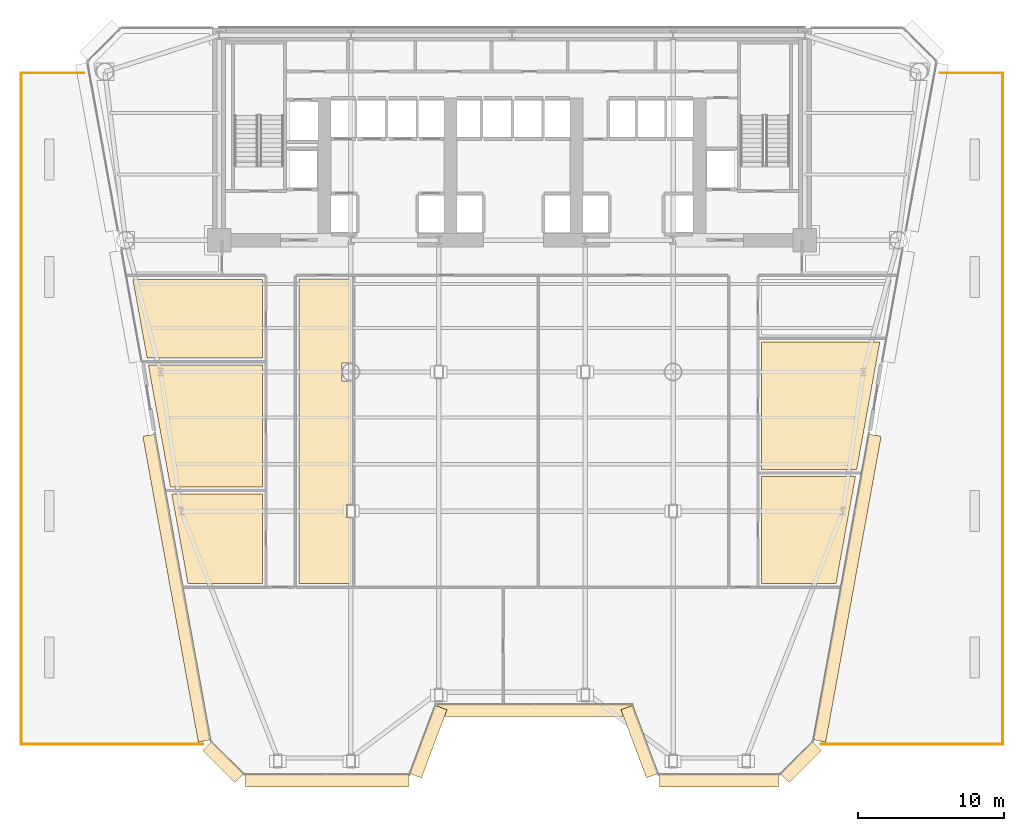
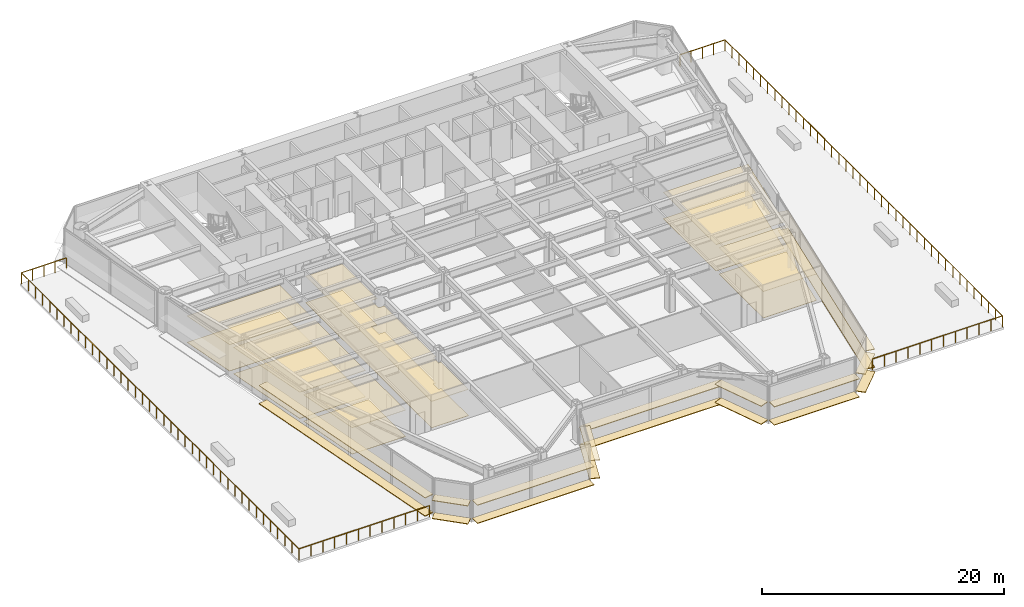
# One storey, part 11 of 14: 30 coverings, 2 railings.
"""IFC4 building model written with IfcOpenShell, lengths in metres."""

import ifcopenshell
import ifcopenshell.guid

model = None  # the IFC model being written
_history = None  # IfcOwnerHistory: only IFC2X3 demands one
_inside = {}  # id of a spatial element -> (the spatial element, [elements in it])
_under = {}  # id of a project, library or spatial element -> (it, [spatial elements below it])
_declared = {}  # id of a project -> (the project, [libraries it declares])
_typed = {}  # id of a type object -> (the type object, [elements of that type])
_made_of = {}  # id of a material, layer set ... -> (it, [elements and type objects made of it])


def new_model(schema):
    """Start an empty IFC model of exactly this schema.

    Asked for "IFC4X3", IfcOpenShell would pick the latest addendum, in which some entities
    have other attributes; the version numbers below select the first issue.
    IFC2X3 requires an IfcOwnerHistory on every rooted entity: one is made here for all.
    """
    global model, _history
    if schema == "IFC4X3":
        model = ifcopenshell.file(schema_version=(4, 3, 0, 0))
    else:
        model = ifcopenshell.file(schema=schema)
    _inside.clear()
    _under.clear()
    _declared.clear()
    _typed.clear()
    _made_of.clear()
    _history = None
    if model.schema == "IFC2X3":
        org = make("IfcOrganization", Name="unknown")
        user = make(
            "IfcPersonAndOrganization",
            ThePerson=make("IfcPerson", FamilyName="unknown"),
            TheOrganization=org,
        )
        app = make(
            "IfcApplication",
            ApplicationDeveloper=org,
            Version="unknown",
            ApplicationFullName="unknown",
            ApplicationIdentifier="unknown",
        )
        _history = make(
            "IfcOwnerHistory",
            OwningUser=user,
            OwningApplication=app,
            ChangeAction="ADDED",
            CreationDate=0,
        )
    return model


def make(cls, **values):
    """One entity of the class cls with the attributes given. An attribute that is None is left unset."""
    return model.create_entity(
        cls, **{name: value for name, value in values.items() if value is not None}
    )


def rooted(cls, **values):
    """An entity with a GlobalId (a new one), such as an element, a storey or a relation."""
    return make(cls, GlobalId=ifcopenshell.guid.new(), OwnerHistory=_history, **values)


def si_unit(unit_type, name, prefix=None):
    """IfcSIUnit, for example si_unit("LENGTHUNIT", "METRE", prefix="MILLI")."""
    return make("IfcSIUnit", UnitType=unit_type, Prefix=prefix, Name=name)


def assignment(units):
    """IfcUnitAssignment: the units of a project."""
    return None if units is None else make("IfcUnitAssignment", Units=units)


def point(xyz):
    """IfcCartesianPoint."""
    return None if xyz is None else make("IfcCartesianPoint", Coordinates=xyz)


def direction(xyz):
    """IfcDirection."""
    return None if xyz is None else make("IfcDirection", DirectionRatios=xyz)


def frame(location, z_axis=None, x_axis=None):
    """IfcAxis2Placement3D, a coordinate frame: its origin and axes. An axis left out is left unset."""
    return make(
        "IfcAxis2Placement3D",
        Location=point(location),
        Axis=direction(z_axis),
        RefDirection=direction(x_axis),
    )


def frame_2d(location, x_axis=None):
    """IfcAxis2Placement2D, a coordinate frame in the plane: its origin and x axis."""
    return make(
        "IfcAxis2Placement2D", Location=point(location), RefDirection=direction(x_axis)
    )


def origin():
    """The frame at (0, 0, 0) with its axes left unset."""
    return frame((0.0, 0.0, 0.0))


def origin_2d():
    """The frame at (0, 0) in the plane with its x axis left unset."""
    return frame_2d((0.0, 0.0))


def place(relative_to, where):
    """IfcLocalPlacement: puts the frame where relative to a parent placement (None: the world)."""
    return make(
        "IfcLocalPlacement", PlacementRelTo=relative_to, RelativePlacement=where
    )


def context(
    kind, dimensions, precision=None, world=None, true_north=None, identifier=None
):
    """IfcGeometricRepresentationContext, for example the 3D "Model" context."""
    return make(
        "IfcGeometricRepresentationContext",
        ContextIdentifier=identifier,
        ContextType=kind,
        CoordinateSpaceDimension=dimensions,
        Precision=precision,
        WorldCoordinateSystem=world,
        TrueNorth=true_north,
    )


def subcontext(parent, identifier, kind, view, scale=None):
    """IfcGeometricRepresentationSubContext, for example "Body" below "Model"."""
    return make(
        "IfcGeometricRepresentationSubContext",
        ContextIdentifier=identifier,
        ContextType=kind,
        ParentContext=parent,
        TargetScale=scale,
        TargetView=view,
    )


def project(units=None, contexts=None):
    """IfcProject with its units and contexts."""
    return rooted(
        "IfcProject",
        Name="project",
        RepresentationContexts=contexts,
        UnitsInContext=assignment(units),
    )


def spatial(cls, under=None, at=None, **own):
    """A site, building, storey or space (cls), placed at a placement, below another one or the project."""
    s = rooted(cls, ObjectPlacement=at, **own)
    if under is not None:
        _under.setdefault(under.id(), (under, []))[1].append(s)
    return s


def polyline(points):
    """IfcPolyline through the points."""
    return make("IfcPolyline", Points=[point(p) for p in points])


def profile(cls, at=None, kind="AREA", **sizes):
    """A parametric profile (cls). Its sizes go by their IFC names, for example OverallWidth=200.0."""
    return make(cls, ProfileType=kind, Position=at, **sizes)


def rectangle(**sizes):
    """IfcRectangleProfileDef."""
    return profile("IfcRectangleProfileDef", **sizes)


def circle(**sizes):
    """IfcCircleProfileDef."""
    return profile("IfcCircleProfileDef", **sizes)


def outline(outer, holes=None, kind="AREA"):
    """IfcArbitraryClosedProfileDef: a profile drawn as a closed curve; with holes, ...WithVoids."""
    if holes is None:
        return make("IfcArbitraryClosedProfileDef", ProfileType=kind, OuterCurve=outer)
    return make(
        "IfcArbitraryProfileDefWithVoids",
        ProfileType=kind,
        OuterCurve=outer,
        InnerCurves=holes,
    )


def extrude(swept, where, along, depth):
    """IfcExtrudedAreaSolid: the profile swept, set in the frame where, extruded along a direction by depth."""
    return make(
        "IfcExtrudedAreaSolid",
        SweptArea=swept,
        Position=where,
        ExtrudedDirection=direction(along),
        Depth=depth,
    )


def shape(context_of_items, identifier, shape_type, items):
    """IfcShapeRepresentation: the items that make up one representation, for example the "Body"."""
    return make(
        "IfcShapeRepresentation",
        ContextOfItems=context_of_items,
        RepresentationIdentifier=identifier,
        RepresentationType=shape_type,
        Items=items,
    )


def source(mapping_origin, context_of_items, identifier, shape_type, items):
    """IfcRepresentationMap: a shape defined once, which mapped items show again and again."""
    return make(
        "IfcRepresentationMap",
        MappingOrigin=mapping_origin,
        MappedRepresentation=shape(context_of_items, identifier, shape_type, items),
    )


def transform(
    local_origin,
    x_axis=None,
    y_axis=None,
    z_axis=None,
    scale=None,
    scale2=None,
    scale3=None,
    uniform=True,
):
    """IfcCartesianTransformationOperator3D, or its non-uniform kind. x_axis, y_axis, z_axis: its Axis1, 2, 3."""
    if uniform:
        return make(
            "IfcCartesianTransformationOperator3D",
            Axis1=direction(x_axis),
            Axis2=direction(y_axis),
            LocalOrigin=point(local_origin),
            Scale=scale,
            Axis3=direction(z_axis),
        )
    return make(
        "IfcCartesianTransformationOperator3DnonUniform",
        Axis1=direction(x_axis),
        Axis2=direction(y_axis),
        LocalOrigin=point(local_origin),
        Scale=scale,
        Axis3=direction(z_axis),
        Scale2=scale2,
        Scale3=scale3,
    )


def mapped(mapping_source, mapping_target):
    """IfcMappedItem: shows the shape of a source again, moved by a transform."""
    return make(
        "IfcMappedItem", MappingSource=mapping_source, MappingTarget=mapping_target
    )


def material(Name=None, Category=None):
    """IfcMaterial."""
    return make("IfcMaterial", Name=Name, Category=Category)


def layer(
    of_material, thickness, ventilated=None, Name=None, Category=None, Priority=None
):
    """IfcMaterialLayer: one layer of a wall or slab, of a material (None: an air gap)."""
    return make(
        "IfcMaterialLayer",
        Material=of_material,
        LayerThickness=thickness,
        IsVentilated=ventilated,
        Name=Name,
        Category=Category,
        Priority=Priority,
    )


def layer_set(layers, Name=None):
    """IfcMaterialLayerSet."""
    return make("IfcMaterialLayerSet", MaterialLayers=layers, LayerSetName=Name)


def made_of(thing, what):
    """Note that an element or type object is made of a material, layer set ...; save() writes the relation."""
    if what is not None:
        _made_of.setdefault(what.id(), (what, []))[1].append(thing)
    return thing


def type_object(cls, material=None, **own):
    """A type object (cls), such as IfcWallType, which elements share."""
    return made_of(rooted(cls, **own), material)


def element(
    cls,
    number,
    at=None,
    inside=None,
    cuts=None,
    type_object=None,
    material=None,
    context=None,
    identifier="Body",
    shape_type=None,
    held_by="IfcProductDefinitionShape",
    body=None,
    shapes=None,
    **own,
):
    """One element of the class cls, such as IfcWall. Its Tag is "e" and its number.

    at: its placement. inside: the storey or other place that contains it. cuts: it is an
    opening in that element (IfcRelVoidsElement). A single representation is given by context,
    identifier, shape_type and body (its items); several are given by shapes. held_by: the class
    of the entity that holds the representations. save() writes the other relations.
    """
    e = rooted(cls, Tag="e%d" % number, ObjectPlacement=at, **own)
    if body is not None:
        shapes = [shape(context, identifier, shape_type, body)]
    if shapes is not None:
        e.Representation = make(held_by, Representations=shapes)
    if inside is not None:
        _inside.setdefault(inside.id(), (inside, []))[1].append(e)
    if cuts is not None:
        rooted(
            "IfcRelVoidsElement", RelatingBuildingElement=cuts, RelatedOpeningElement=e
        )
    if type_object is not None:
        _typed.setdefault(type_object.id(), (type_object, []))[1].append(e)
    return made_of(e, material)


def aggregate(whole, parts):
    """IfcRelAggregates: a whole, such as a stair, and the parts it consists of."""
    return rooted("IfcRelAggregates", RelatingObject=whole, RelatedObjects=parts)


def save(model, path):
    """Write the relations noted so far, then the file.

    IfcRelAggregates (storeys below a building ...), IfcRelContainedInSpatialStructure (elements
    in a storey), IfcRelDefinesByType, IfcRelAssociatesMaterial and IfcRelDeclares: one each for
    every whole, place, type object, material and project.
    """
    for whole, parts in _under.values():
        aggregate(whole, parts)
    for where, things in _inside.values():
        rooted(
            "IfcRelContainedInSpatialStructure",
            RelatedElements=things,
            RelatingStructure=where,
        )
    for kind, things in _typed.values():
        rooted("IfcRelDefinesByType", RelatedObjects=things, RelatingType=kind)
    for what, things in _made_of.values():
        rooted("IfcRelAssociatesMaterial", RelatedObjects=things, RelatingMaterial=what)
    for by, libraries in _declared.values():
        rooted("IfcRelDeclares", RelatingContext=by, RelatedDefinitions=libraries)
    model.write(path)


model = new_model("IFC4")

# Units and contexts
model_context = context("Model", 3, precision=1e-05, world=origin(), true_north=direction((0.0, 1.0)))
body_context = subcontext(model_context, "Body", "Model", "MODEL_VIEW")
ifc_project = project(units=[si_unit("LENGTHUNIT", "METRE"), si_unit("AREAUNIT", "SQUARE_METRE"), si_unit("VOLUMEUNIT", "CUBIC_METRE"), si_unit("PLANEANGLEUNIT", "RADIAN"), si_unit("MASSUNIT", "GRAM", prefix="KILO")], contexts=[model_context])

# Site, building, storey
site_placement = place(None, origin())
site = spatial("IfcSite", under=ifc_project, at=site_placement, CompositionType="ELEMENT")
building_placement = place(site_placement, origin())
building = spatial("IfcBuilding", under=site, at=building_placement, Name="Vaeldorn Concourse Tower", CompositionType="ELEMENT")
storey_placement = place(building_placement, frame((0.0, 0.0, 18.800048828125)))
storey = spatial("IfcBuildingStorey", under=building, at=storey_placement, Name="L04", CompositionType="ELEMENT", Elevation=18.800048828125)

# Coverings
ifc_material_1 = material(Name="Acoustic Mineral Fibre Board", Category="gypsum")
ifc_layer_1 = layer(ifc_material_1, 0.0400390625)
ifc_layer_set_1 = layer_set([ifc_layer_1], Name="Acoustic Mineral Fibre Board")
covering_type_1 = type_object("IfcCoveringType", Name="COV-CEIL-ACOUSTIC", PredefinedType="CEILING", material=ifc_layer_set_1)
covering_1_placement = place(storey_placement, frame((0.0, 0.0, 2.64990234375)))
element("IfcCovering", 1, at=covering_1_placement, inside=storey, type_object=covering_type_1, Name="Suspended Acoustic Ceiling L04-6", PredefinedType="CEILING", context=body_context, shape_type="SweptSolid", body=[
    extrude(outline(polyline([(16.9599609375, 19.159912109375), (16.9599609375, 13.0400390625), (11.873779296875, 13.0400390625), (10.763916015625, 19.159912109375), (16.9599609375, 19.159912109375)])), origin(), (0.0, 0.0, 1.0), 0.0400390625),
])
covering_2_placement = place(storey_placement, frame((0.0, 0.0, 2.64990234375)))
element("IfcCovering", 2, at=covering_2_placement, inside=storey, type_object=covering_type_1, Name="Suspended Acoustic Ceiling L04-7", PredefinedType="CEILING", context=body_context, shape_type="SweptSolid", body=[
    extrude(outline(polyline([(16.9599609375, 27.9599609375), (16.9599609375, 19.639892578125), (10.6767578125, 19.639892578125), (9.16796875, 27.9599609375), (16.9599609375, 27.9599609375)])), origin(), (0.0, 0.0, 1.0), 0.0400390625),
])
covering_3_placement = place(storey_placement, frame((0.0, 0.0, 2.64990234375)))
element("IfcCovering", 3, at=covering_3_placement, inside=storey, type_object=covering_type_1, Name="Suspended Acoustic Ceiling L04-8", PredefinedType="CEILING", context=body_context, shape_type="SweptSolid", body=[
    extrude(outline(polyline([(16.9599609375, 33.800048828125), (16.9599609375, 28.43994140625), (9.080810546875, 28.43994140625), (8.10888671875, 33.800048828125), (16.9599609375, 33.800048828125)])), origin(), (0.0, 0.0, 1.0), 0.0400390625),
])
covering_4_placement = place(storey_placement, frame((0.0, 0.0, 2.64990234375)))
element("IfcCovering", 4, at=covering_4_placement, inside=storey, type_object=covering_type_1, Name="Suspended Acoustic Ceiling L04-9", PredefinedType="CEILING", context=body_context, shape_type="SweptSolid", body=[
    extrude(outline(polyline([(51.0400390625, 13.0400390625), (51.0400390625, 20.360107421875), (57.453857421875, 20.360107421875), (56.126220703125, 13.0400390625), (51.0400390625, 13.0400390625)])), origin(), (0.0, 0.0, 1.0), 0.0400390625),
])
covering_5_placement = place(storey_placement, frame((0.0, 0.0, 2.64990234375)))
element("IfcCovering", 5, at=covering_5_placement, inside=storey, type_object=covering_type_1, Name="Suspended Acoustic Ceiling L04-10", PredefinedType="CEILING", context=body_context, shape_type="SweptSolid", body=[
    extrude(outline(polyline([(51.0400390625, 20.840087890625), (51.0400390625, 29.56005859375), (59.122314453125, 29.56005859375), (57.540771484375, 20.840087890625), (51.0400390625, 20.840087890625)])), origin(), (0.0, 0.0, 1.0), 0.0400390625),
])
covering_6_placement = place(storey_placement, frame((0.0, 0.0, 2.64990234375)))
element("IfcCovering", 6, at=covering_6_placement, inside=storey, type_object=covering_type_1, Name="Suspended Acoustic Ceiling L04-12", PredefinedType="CEILING", context=body_context, shape_type="SweptSolid", body=[
    extrude(outline(polyline([(19.43994140625, 33.860107421875), (22.9599609375, 33.860107421875), (22.9599609375, 28.109619140625), (22.390380859375, 28.109619140625), (22.390380859375, 26.890380859375), (22.9599609375, 26.890380859375), (22.9599609375, 18.449951171875), (22.699951171875, 18.449951171875), (22.699951171875, 17.550048828125), (22.9599609375, 17.550048828125), (22.9599609375, 13.0400390625), (19.43994140625, 13.0400390625), (19.43994140625, 33.860107421875)])), origin(), (0.0, 0.0, 1.0), 0.0400390625),
])
ifc_material_2 = material(Name="Honed Limestone Terrazzo Flooring", Category="masonry")
ifc_layer_2 = layer(ifc_material_2, 0.0400390625)
ifc_layer_set_2 = layer_set([ifc_layer_2], Name="Honed Limestone Terrazzo Flooring")
covering_type_2 = type_object("IfcCoveringType", Name="COV-FLOOR-STONE", PredefinedType="FLOORING", material=ifc_layer_set_2)
covering_7_placement = place(storey_placement, origin())
element("IfcCovering", 7, at=covering_7_placement, inside=storey, type_object=covering_type_2, Name="Floor Finish Covering L04-6", PredefinedType="FLOORING", context=body_context, shape_type="SweptSolid", body=[
    extrude(outline(polyline([(16.9599609375, 19.159912109375), (16.9599609375, 13.0400390625), (11.873779296875, 13.0400390625), (10.763916015625, 19.159912109375), (16.9599609375, 19.159912109375)])), origin(), (0.0, 0.0, 1.0), 0.030029296875),
])
covering_8_placement = place(storey_placement, origin())
element("IfcCovering", 8, at=covering_8_placement, inside=storey, type_object=covering_type_2, Name="Floor Finish Covering L04-7", PredefinedType="FLOORING", context=body_context, shape_type="SweptSolid", body=[
    extrude(outline(polyline([(16.9599609375, 27.9599609375), (16.9599609375, 19.639892578125), (10.6767578125, 19.639892578125), (9.16796875, 27.9599609375), (16.9599609375, 27.9599609375)])), origin(), (0.0, 0.0, 1.0), 0.030029296875),
])
covering_9_placement = place(storey_placement, origin())
element("IfcCovering", 9, at=covering_9_placement, inside=storey, type_object=covering_type_2, Name="Floor Finish Covering L04-8", PredefinedType="FLOORING", context=body_context, shape_type="SweptSolid", body=[
    extrude(outline(polyline([(16.9599609375, 33.800048828125), (16.9599609375, 28.43994140625), (9.080810546875, 28.43994140625), (8.10888671875, 33.800048828125), (16.9599609375, 33.800048828125)])), origin(), (0.0, 0.0, 1.0), 0.030029296875),
])
covering_10_placement = place(storey_placement, origin())
element("IfcCovering", 10, at=covering_10_placement, inside=storey, type_object=covering_type_2, Name="Floor Finish Covering L04-9", PredefinedType="FLOORING", context=body_context, shape_type="SweptSolid", body=[
    extrude(outline(polyline([(51.0400390625, 13.0400390625), (51.0400390625, 20.360107421875), (57.453857421875, 20.360107421875), (56.126220703125, 13.0400390625), (51.0400390625, 13.0400390625)])), origin(), (0.0, 0.0, 1.0), 0.030029296875),
])
covering_11_placement = place(storey_placement, origin())
element("IfcCovering", 11, at=covering_11_placement, inside=storey, type_object=covering_type_2, Name="Floor Finish Covering L04-10", PredefinedType="FLOORING", context=body_context, shape_type="SweptSolid", body=[
    extrude(outline(polyline([(51.0400390625, 20.840087890625), (51.0400390625, 29.56005859375), (59.122314453125, 29.56005859375), (57.540771484375, 20.840087890625), (51.0400390625, 20.840087890625)])), origin(), (0.0, 0.0, 1.0), 0.030029296875),
])
covering_12_placement = place(storey_placement, origin())
element("IfcCovering", 12, at=covering_12_placement, inside=storey, type_object=covering_type_2, Name="Floor Finish Covering L04-12", PredefinedType="FLOORING", context=body_context, shape_type="SweptSolid", body=[
    extrude(outline(polyline([(19.43994140625, 33.860107421875), (22.9599609375, 33.860107421875), (22.9599609375, 28.109619140625), (22.390380859375, 28.109619140625), (22.390380859375, 26.890380859375), (22.9599609375, 26.890380859375), (22.9599609375, 18.449951171875), (22.699951171875, 18.449951171875), (22.699951171875, 17.550048828125), (22.9599609375, 17.550048828125), (22.9599609375, 13.0400390625), (19.43994140625, 13.0400390625), (19.43994140625, 33.860107421875)])), origin(), (0.0, 0.0, 1.0), 0.030029296875),
])

# Railings
ifc_material_3 = material(Name="Anodised Bronze Aluminium", Category="aluminium")
railing_type = type_object("IfcRailingType", Name="RL-BALUSTRADE-1150", PredefinedType="BALUSTRADE", material=ifc_material_3)
railing_1_placement = place(storey_placement, frame((12.885009765625, 2.080078125, 0.0)))
element("IfcRailing", 13, at=railing_1_placement, inside=storey, type_object=railing_type, Name="Podium Sky Garden West Balustrade L04", PredefinedType="BALUSTRADE", context=body_context, shape_type="SweptSolid", body=[
    extrude(circle(Radius=0.02392578125, at=origin_2d()), frame((0.0, 0.0, 1.1259765625), z_axis=(-1.0, 0.0, 0.0), x_axis=(0.0, -1.0, 0.0)), (0.0, 0.0, 1.0), 12.405029296875),
    extrude(circle(Radius=0.02392578125, at=origin_2d()), frame((-12.405029296875, 0.0, 1.1259765625), z_axis=(0.0, 1.0, 0.0), x_axis=(-1.0, 0.0, 0.0)), (0.0, 0.0, 1.0), 45.83984375),
    extrude(circle(Radius=0.02392578125, at=origin_2d()), frame((-12.405029296875, 45.83984375, 1.1259765625), z_axis=(1.0, 0.0, 0.0), x_axis=(0.0, 1.0, 0.0)), (0.0, 0.0, 1.0), 4.284912109375),
    extrude(circle(Radius=0.02099609375, at=origin_2d()), origin(), (0.0, 0.0, 1.0), 1.101806640625),
    extrude(circle(Radius=0.02099609375, at=origin_2d()), frame((-1.127685546875, 0.0, 0.0)), (0.0, 0.0, 1.0), 1.101806640625),
    extrude(circle(Radius=0.02099609375, at=origin_2d()), frame((-2.25537109375, 0.0, 0.0)), (0.0, 0.0, 1.0), 1.101806640625),
    extrude(circle(Radius=0.02099609375, at=origin_2d()), frame((-3.38330078125, 0.0, 0.0)), (0.0, 0.0, 1.0), 1.101806640625),
    extrude(circle(Radius=0.02099609375, at=origin_2d()), frame((-4.510986328125, 0.0, 0.0)), (0.0, 0.0, 1.0), 1.101806640625),
    extrude(circle(Radius=0.02099609375, at=origin_2d()), frame((-5.638671875, 0.0, 0.0)), (0.0, 0.0, 1.0), 1.101806640625),
    extrude(circle(Radius=0.02099609375, at=origin_2d()), frame((-6.766357421875, 0.0, 0.0)), (0.0, 0.0, 1.0), 1.101806640625),
    extrude(circle(Radius=0.02099609375, at=origin_2d()), frame((-7.89404296875, 0.0, 0.0)), (0.0, 0.0, 1.0), 1.101806640625),
    extrude(circle(Radius=0.02099609375, at=origin_2d()), frame((-9.021728515625, 0.0, 0.0)), (0.0, 0.0, 1.0), 1.101806640625),
    extrude(circle(Radius=0.02099609375, at=origin_2d()), frame((-10.149658203125, 0.0, 0.0)), (0.0, 0.0, 1.0), 1.101806640625),
    extrude(circle(Radius=0.02099609375, at=origin_2d()), frame((-11.27734375, 0.0, 0.0)), (0.0, 0.0, 1.0), 1.101806640625),
    extrude(circle(Radius=0.02099609375, at=origin_2d()), frame((-12.405029296875, 0.0, 0.0)), (0.0, 0.0, 1.0), 1.101806640625),
    extrude(circle(Radius=0.02099609375, at=origin_2d()), frame((-12.405029296875, 1.17529296875, 0.0)), (0.0, 0.0, 1.0), 1.101806640625),
    extrude(circle(Radius=0.02099609375, at=origin_2d()), frame((-12.405029296875, 2.350830078125, 0.0)), (0.0, 0.0, 1.0), 1.101806640625),
    extrude(circle(Radius=0.02099609375, at=origin_2d()), frame((-12.405029296875, 3.526123046875, 0.0)), (0.0, 0.0, 1.0), 1.101806640625),
    extrude(circle(Radius=0.02099609375, at=origin_2d()), frame((-12.405029296875, 4.701416015625, 0.0)), (0.0, 0.0, 1.0), 1.101806640625),
    extrude(circle(Radius=0.02099609375, at=origin_2d()), frame((-12.405029296875, 5.876953125, 0.0)), (0.0, 0.0, 1.0), 1.101806640625),
    extrude(circle(Radius=0.02099609375, at=origin_2d()), frame((-12.405029296875, 7.05224609375, 0.0)), (0.0, 0.0, 1.0), 1.101806640625),
    extrude(circle(Radius=0.02099609375, at=origin_2d()), frame((-12.405029296875, 8.227783203125, 0.0)), (0.0, 0.0, 1.0), 1.101806640625),
    extrude(circle(Radius=0.02099609375, at=origin_2d()), frame((-12.405029296875, 9.403076171875, 0.0)), (0.0, 0.0, 1.0), 1.101806640625),
    extrude(circle(Radius=0.02099609375, at=origin_2d()), frame((-12.405029296875, 10.578369140625, 0.0)), (0.0, 0.0, 1.0), 1.101806640625),
    extrude(circle(Radius=0.02099609375, at=origin_2d()), frame((-12.405029296875, 11.75390625, 0.0)), (0.0, 0.0, 1.0), 1.101806640625),
    extrude(circle(Radius=0.02099609375, at=origin_2d()), frame((-12.405029296875, 12.92919921875, 0.0)), (0.0, 0.0, 1.0), 1.101806640625),
    extrude(circle(Radius=0.02099609375, at=origin_2d()), frame((-12.405029296875, 14.1044921875, 0.0)), (0.0, 0.0, 1.0), 1.101806640625),
    extrude(circle(Radius=0.02099609375, at=origin_2d()), frame((-12.405029296875, 15.280029296875, 0.0)), (0.0, 0.0, 1.0), 1.101806640625),
    extrude(circle(Radius=0.02099609375, at=origin_2d()), frame((-12.405029296875, 16.455322265625, 0.0)), (0.0, 0.0, 1.0), 1.101806640625),
    extrude(circle(Radius=0.02099609375, at=origin_2d()), frame((-12.405029296875, 17.630615234375, 0.0)), (0.0, 0.0, 1.0), 1.101806640625),
    extrude(circle(Radius=0.02099609375, at=origin_2d()), frame((-12.405029296875, 18.80615234375, 0.0)), (0.0, 0.0, 1.0), 1.101806640625),
    extrude(circle(Radius=0.02099609375, at=origin_2d()), frame((-12.405029296875, 19.9814453125, 0.0)), (0.0, 0.0, 1.0), 1.101806640625),
    extrude(circle(Radius=0.02099609375, at=origin_2d()), frame((-12.405029296875, 21.15673828125, 0.0)), (0.0, 0.0, 1.0), 1.101806640625),
    extrude(circle(Radius=0.02099609375, at=origin_2d()), frame((-12.405029296875, 22.332275390625, 0.0)), (0.0, 0.0, 1.0), 1.101806640625),
    extrude(circle(Radius=0.02099609375, at=origin_2d()), frame((-12.405029296875, 23.507568359375, 0.0)), (0.0, 0.0, 1.0), 1.101806640625),
    extrude(circle(Radius=0.02099609375, at=origin_2d()), frame((-12.405029296875, 24.68310546875, 0.0)), (0.0, 0.0, 1.0), 1.101806640625),
    extrude(circle(Radius=0.02099609375, at=origin_2d()), frame((-12.405029296875, 25.8583984375, 0.0)), (0.0, 0.0, 1.0), 1.101806640625),
    extrude(circle(Radius=0.02099609375, at=origin_2d()), frame((-12.405029296875, 27.03369140625, 0.0)), (0.0, 0.0, 1.0), 1.101806640625),
    extrude(circle(Radius=0.02099609375, at=origin_2d()), frame((-12.405029296875, 28.209228515625, 0.0)), (0.0, 0.0, 1.0), 1.101806640625),
    extrude(circle(Radius=0.02099609375, at=origin_2d()), frame((-12.405029296875, 29.384521484375, 0.0)), (0.0, 0.0, 1.0), 1.101806640625),
    extrude(circle(Radius=0.02099609375, at=origin_2d()), frame((-12.405029296875, 30.559814453125, 0.0)), (0.0, 0.0, 1.0), 1.101806640625),
    extrude(circle(Radius=0.02099609375, at=origin_2d()), frame((-12.405029296875, 31.7353515625, 0.0)), (0.0, 0.0, 1.0), 1.101806640625),
    extrude(circle(Radius=0.02099609375, at=origin_2d()), frame((-12.405029296875, 32.91064453125, 0.0)), (0.0, 0.0, 1.0), 1.101806640625),
    extrude(circle(Radius=0.02099609375, at=origin_2d()), frame((-12.405029296875, 34.0859375, 0.0)), (0.0, 0.0, 1.0), 1.101806640625),
    extrude(circle(Radius=0.02099609375, at=origin_2d()), frame((-12.405029296875, 35.261474609375, 0.0)), (0.0, 0.0, 1.0), 1.101806640625),
    extrude(circle(Radius=0.02099609375, at=origin_2d()), frame((-12.405029296875, 36.436767578125, 0.0)), (0.0, 0.0, 1.0), 1.101806640625),
    extrude(circle(Radius=0.02099609375, at=origin_2d()), frame((-12.405029296875, 37.612060546875, 0.0)), (0.0, 0.0, 1.0), 1.101806640625),
    extrude(circle(Radius=0.02099609375, at=origin_2d()), frame((-12.405029296875, 38.78759765625, 0.0)), (0.0, 0.0, 1.0), 1.101806640625),
    extrude(circle(Radius=0.02099609375, at=origin_2d()), frame((-12.405029296875, 39.962890625, 0.0)), (0.0, 0.0, 1.0), 1.101806640625),
    extrude(circle(Radius=0.02099609375, at=origin_2d()), frame((-12.405029296875, 41.138427734375, 0.0)), (0.0, 0.0, 1.0), 1.101806640625),
    extrude(circle(Radius=0.02099609375, at=origin_2d()), frame((-12.405029296875, 42.313720703125, 0.0)), (0.0, 0.0, 1.0), 1.101806640625),
    extrude(circle(Radius=0.02099609375, at=origin_2d()), frame((-12.405029296875, 43.489013671875, 0.0)), (0.0, 0.0, 1.0), 1.101806640625),
    extrude(circle(Radius=0.02099609375, at=origin_2d()), frame((-12.405029296875, 44.66455078125, 0.0)), (0.0, 0.0, 1.0), 1.101806640625),
    extrude(circle(Radius=0.02099609375, at=origin_2d()), frame((-12.405029296875, 45.83984375, 0.0)), (0.0, 0.0, 1.0), 1.101806640625),
    extrude(circle(Radius=0.02099609375, at=origin_2d()), frame((-11.333740234375, 45.83984375, 0.0)), (0.0, 0.0, 1.0), 1.101806640625),
    extrude(circle(Radius=0.02099609375, at=origin_2d()), frame((-10.2626953125, 45.83984375, 0.0)), (0.0, 0.0, 1.0), 1.101806640625),
    extrude(circle(Radius=0.02099609375, at=origin_2d()), frame((-9.19140625, 45.83984375, 0.0)), (0.0, 0.0, 1.0), 1.101806640625),
    extrude(circle(Radius=0.02099609375, at=origin_2d()), frame((-8.1201171875, 45.83984375, 0.0)), (0.0, 0.0, 1.0), 1.101806640625),
])
railing_2_placement = place(storey_placement, frame((55.114990234375, 2.080078125, 0.0)))
element("IfcRailing", 14, at=railing_2_placement, inside=storey, type_object=railing_type, Name="Podium Sky Garden East Balustrade L04", PredefinedType="BALUSTRADE", context=body_context, shape_type="SweptSolid", body=[
    extrude(circle(Radius=0.02392578125, at=origin_2d()), frame((0.0, 0.0, 1.1259765625), z_axis=(1.0, 0.0, 0.0), x_axis=(0.0, 1.0, 0.0)), (0.0, 0.0, 1.0), 12.405029296875),
    extrude(circle(Radius=0.02392578125, at=origin_2d()), frame((12.405029296875, 0.0, 1.1259765625), z_axis=(0.0, 1.0, 0.0), x_axis=(-1.0, 0.0, 0.0)), (0.0, 0.0, 1.0), 45.83984375),
    extrude(circle(Radius=0.02392578125, at=origin_2d()), frame((12.405029296875, 45.83984375, 1.1259765625), z_axis=(-1.0, 0.0, 0.0), x_axis=(0.0, -1.0, 0.0)), (0.0, 0.0, 1.0), 4.284912109375),
    extrude(circle(Radius=0.02099609375, at=origin_2d()), origin(), (0.0, 0.0, 1.0), 1.101806640625),
    extrude(circle(Radius=0.02099609375, at=origin_2d()), frame((1.127685546875, 0.0, 0.0)), (0.0, 0.0, 1.0), 1.101806640625),
    extrude(circle(Radius=0.02099609375, at=origin_2d()), frame((2.25537109375, 0.0, 0.0)), (0.0, 0.0, 1.0), 1.101806640625),
    extrude(circle(Radius=0.02099609375, at=origin_2d()), frame((3.38330078125, 0.0, 0.0)), (0.0, 0.0, 1.0), 1.101806640625),
    extrude(circle(Radius=0.02099609375, at=origin_2d()), frame((4.510986328125, 0.0, 0.0)), (0.0, 0.0, 1.0), 1.101806640625),
    extrude(circle(Radius=0.02099609375, at=origin_2d()), frame((5.638671875, 0.0, 0.0)), (0.0, 0.0, 1.0), 1.101806640625),
    extrude(circle(Radius=0.02099609375, at=origin_2d()), frame((6.766357421875, 0.0, 0.0)), (0.0, 0.0, 1.0), 1.101806640625),
    extrude(circle(Radius=0.02099609375, at=origin_2d()), frame((7.89404296875, 0.0, 0.0)), (0.0, 0.0, 1.0), 1.101806640625),
    extrude(circle(Radius=0.02099609375, at=origin_2d()), frame((9.021728515625, 0.0, 0.0)), (0.0, 0.0, 1.0), 1.101806640625),
    extrude(circle(Radius=0.02099609375, at=origin_2d()), frame((10.149658203125, 0.0, 0.0)), (0.0, 0.0, 1.0), 1.101806640625),
    extrude(circle(Radius=0.02099609375, at=origin_2d()), frame((11.27734375, 0.0, 0.0)), (0.0, 0.0, 1.0), 1.101806640625),
    extrude(circle(Radius=0.02099609375, at=origin_2d()), frame((12.405029296875, 0.0, 0.0)), (0.0, 0.0, 1.0), 1.101806640625),
    extrude(circle(Radius=0.02099609375, at=origin_2d()), frame((12.405029296875, 1.17529296875, 0.0)), (0.0, 0.0, 1.0), 1.101806640625),
    extrude(circle(Radius=0.02099609375, at=origin_2d()), frame((12.405029296875, 2.350830078125, 0.0)), (0.0, 0.0, 1.0), 1.101806640625),
    extrude(circle(Radius=0.02099609375, at=origin_2d()), frame((12.405029296875, 3.526123046875, 0.0)), (0.0, 0.0, 1.0), 1.101806640625),
    extrude(circle(Radius=0.02099609375, at=origin_2d()), frame((12.405029296875, 4.701416015625, 0.0)), (0.0, 0.0, 1.0), 1.101806640625),
    extrude(circle(Radius=0.02099609375, at=origin_2d()), frame((12.405029296875, 5.876953125, 0.0)), (0.0, 0.0, 1.0), 1.101806640625),
    extrude(circle(Radius=0.02099609375, at=origin_2d()), frame((12.405029296875, 7.05224609375, 0.0)), (0.0, 0.0, 1.0), 1.101806640625),
    extrude(circle(Radius=0.02099609375, at=origin_2d()), frame((12.405029296875, 8.227783203125, 0.0)), (0.0, 0.0, 1.0), 1.101806640625),
    extrude(circle(Radius=0.02099609375, at=origin_2d()), frame((12.405029296875, 9.403076171875, 0.0)), (0.0, 0.0, 1.0), 1.101806640625),
    extrude(circle(Radius=0.02099609375, at=origin_2d()), frame((12.405029296875, 10.578369140625, 0.0)), (0.0, 0.0, 1.0), 1.101806640625),
    extrude(circle(Radius=0.02099609375, at=origin_2d()), frame((12.405029296875, 11.75390625, 0.0)), (0.0, 0.0, 1.0), 1.101806640625),
    extrude(circle(Radius=0.02099609375, at=origin_2d()), frame((12.405029296875, 12.92919921875, 0.0)), (0.0, 0.0, 1.0), 1.101806640625),
    extrude(circle(Radius=0.02099609375, at=origin_2d()), frame((12.405029296875, 14.1044921875, 0.0)), (0.0, 0.0, 1.0), 1.101806640625),
    extrude(circle(Radius=0.02099609375, at=origin_2d()), frame((12.405029296875, 15.280029296875, 0.0)), (0.0, 0.0, 1.0), 1.101806640625),
    extrude(circle(Radius=0.02099609375, at=origin_2d()), frame((12.405029296875, 16.455322265625, 0.0)), (0.0, 0.0, 1.0), 1.101806640625),
    extrude(circle(Radius=0.02099609375, at=origin_2d()), frame((12.405029296875, 17.630615234375, 0.0)), (0.0, 0.0, 1.0), 1.101806640625),
    extrude(circle(Radius=0.02099609375, at=origin_2d()), frame((12.405029296875, 18.80615234375, 0.0)), (0.0, 0.0, 1.0), 1.101806640625),
    extrude(circle(Radius=0.02099609375, at=origin_2d()), frame((12.405029296875, 19.9814453125, 0.0)), (0.0, 0.0, 1.0), 1.101806640625),
    extrude(circle(Radius=0.02099609375, at=origin_2d()), frame((12.405029296875, 21.15673828125, 0.0)), (0.0, 0.0, 1.0), 1.101806640625),
    extrude(circle(Radius=0.02099609375, at=origin_2d()), frame((12.405029296875, 22.332275390625, 0.0)), (0.0, 0.0, 1.0), 1.101806640625),
    extrude(circle(Radius=0.02099609375, at=origin_2d()), frame((12.405029296875, 23.507568359375, 0.0)), (0.0, 0.0, 1.0), 1.101806640625),
    extrude(circle(Radius=0.02099609375, at=origin_2d()), frame((12.405029296875, 24.68310546875, 0.0)), (0.0, 0.0, 1.0), 1.101806640625),
    extrude(circle(Radius=0.02099609375, at=origin_2d()), frame((12.405029296875, 25.8583984375, 0.0)), (0.0, 0.0, 1.0), 1.101806640625),
    extrude(circle(Radius=0.02099609375, at=origin_2d()), frame((12.405029296875, 27.03369140625, 0.0)), (0.0, 0.0, 1.0), 1.101806640625),
    extrude(circle(Radius=0.02099609375, at=origin_2d()), frame((12.405029296875, 28.209228515625, 0.0)), (0.0, 0.0, 1.0), 1.101806640625),
    extrude(circle(Radius=0.02099609375, at=origin_2d()), frame((12.405029296875, 29.384521484375, 0.0)), (0.0, 0.0, 1.0), 1.101806640625),
    extrude(circle(Radius=0.02099609375, at=origin_2d()), frame((12.405029296875, 30.559814453125, 0.0)), (0.0, 0.0, 1.0), 1.101806640625),
    extrude(circle(Radius=0.02099609375, at=origin_2d()), frame((12.405029296875, 31.7353515625, 0.0)), (0.0, 0.0, 1.0), 1.101806640625),
    extrude(circle(Radius=0.02099609375, at=origin_2d()), frame((12.405029296875, 32.91064453125, 0.0)), (0.0, 0.0, 1.0), 1.101806640625),
    extrude(circle(Radius=0.02099609375, at=origin_2d()), frame((12.405029296875, 34.0859375, 0.0)), (0.0, 0.0, 1.0), 1.101806640625),
    extrude(circle(Radius=0.02099609375, at=origin_2d()), frame((12.405029296875, 35.261474609375, 0.0)), (0.0, 0.0, 1.0), 1.101806640625),
    extrude(circle(Radius=0.02099609375, at=origin_2d()), frame((12.405029296875, 36.436767578125, 0.0)), (0.0, 0.0, 1.0), 1.101806640625),
    extrude(circle(Radius=0.02099609375, at=origin_2d()), frame((12.405029296875, 37.612060546875, 0.0)), (0.0, 0.0, 1.0), 1.101806640625),
    extrude(circle(Radius=0.02099609375, at=origin_2d()), frame((12.405029296875, 38.78759765625, 0.0)), (0.0, 0.0, 1.0), 1.101806640625),
    extrude(circle(Radius=0.02099609375, at=origin_2d()), frame((12.405029296875, 39.962890625, 0.0)), (0.0, 0.0, 1.0), 1.101806640625),
    extrude(circle(Radius=0.02099609375, at=origin_2d()), frame((12.405029296875, 41.138427734375, 0.0)), (0.0, 0.0, 1.0), 1.101806640625),
    extrude(circle(Radius=0.02099609375, at=origin_2d()), frame((12.405029296875, 42.313720703125, 0.0)), (0.0, 0.0, 1.0), 1.101806640625),
    extrude(circle(Radius=0.02099609375, at=origin_2d()), frame((12.405029296875, 43.489013671875, 0.0)), (0.0, 0.0, 1.0), 1.101806640625),
    extrude(circle(Radius=0.02099609375, at=origin_2d()), frame((12.405029296875, 44.66455078125, 0.0)), (0.0, 0.0, 1.0), 1.101806640625),
    extrude(circle(Radius=0.02099609375, at=origin_2d()), frame((12.405029296875, 45.83984375, 0.0)), (0.0, 0.0, 1.0), 1.101806640625),
    extrude(circle(Radius=0.02099609375, at=origin_2d()), frame((11.333740234375, 45.83984375, 0.0)), (0.0, 0.0, 1.0), 1.101806640625),
    extrude(circle(Radius=0.02099609375, at=origin_2d()), frame((10.2626953125, 45.83984375, 0.0)), (0.0, 0.0, 1.0), 1.101806640625),
    extrude(circle(Radius=0.02099609375, at=origin_2d()), frame((9.19140625, 45.83984375, 0.0)), (0.0, 0.0, 1.0), 1.101806640625),
    extrude(circle(Radius=0.02099609375, at=origin_2d()), frame((8.1201171875, 45.83984375, 0.0)), (0.0, 0.0, 1.0), 1.101806640625),
])

# Coverings
ifc_layer_3 = layer(ifc_material_3, 0.06494140625)
ifc_layer_set_3 = layer_set([ifc_layer_3], Name="Anodised Bronze Aluminium")
covering_type_3 = type_object("IfcCoveringType", Name="SD-BRONZE-SUNSHADE", PredefinedType="USERDEFINED", material=ifc_layer_set_3)
shared_shape_1 = source(origin(), body_context, "Body", "SweptSolid", [
    extrude(rectangle(XDim=11.125, YDim=0.8798828125, at=origin_2d()), origin(), (0.0, 0.0, 1.0), 0.06494140625),
])
for number, where, z_axis, x_axis, name in (
    (15, (21.357421875, -0.39990234375, 0.04736328125), (0.0, 0.0, 1.0), (1.0, 0.0, 0.0), "Horizontal Bronze Sunshade L04-E01.1.1"),
    (16, (21.357421875, -0.39990234375, 1.867431640625), (0.0, 0.0, 1.0), (1.0, 0.0, 0.0), "Horizontal Bronze Sunshade L04-E01.1.2"),
):
    element("IfcCovering", number, at=place(storey_placement, frame(where, z_axis=z_axis, x_axis=x_axis)), inside=storey, type_object=covering_type_3, Name=name, ObjectType="SUNSHADE", PredefinedType="USERDEFINED", context=body_context, shape_type="MappedRepresentation", body=[
        mapped(shared_shape_1, transform((0.0, 0.0, 0.0), scale=1.0)),
    ])
shared_shape_2 = source(origin(), body_context, "Body", "SweptSolid", [
    extrude(rectangle(XDim=4.96630859375, YDim=0.8798828125, at=origin_2d()), origin(), (0.0, 0.0, 1.0), 0.06494140625),
])
for number, where, z_axis, x_axis, name in (
    (17, (28.2744140625, 2.259521484375, 0.04736328125), (0.0, 0.0, 1.0), (0.351122702609, 0.936329454686, 0.0), "Horizontal Bronze Sunshade L04-E02.1.1"),
    (18, (28.2744140625, 2.259521484375, 1.867431640625), (0.0, 0.0, 1.0), (0.351122702609, 0.936329454686, 0.0), "Horizontal Bronze Sunshade L04-E02.1.2"),
    (19, (42.7255859375, 2.259521484375, 0.04736328125), (0.0, 0.0, 1.0), (0.351122702609, -0.936329454686, 0.0), "Horizontal Bronze Sunshade L04-E04.1.1"),
    (20, (42.7255859375, 2.259521484375, 1.867431640625), (0.0, 0.0, 1.0), (0.351122702609, -0.936329454686, 0.0), "Horizontal Bronze Sunshade L04-E04.1.2"),
):
    element("IfcCovering", number, at=place(storey_placement, frame(where, z_axis=z_axis, x_axis=x_axis)), inside=storey, type_object=covering_type_3, Name=name, ObjectType="SUNSHADE", PredefinedType="USERDEFINED", context=body_context, shape_type="MappedRepresentation", body=[
        mapped(shared_shape_2, transform((0.0, 0.0, 0.0), scale=1.0)),
    ])
shared_shape_3 = source(origin(), body_context, "Body", "SweptSolid", [
    extrude(rectangle(XDim=13.239990234375, YDim=0.8798828125, at=origin_2d()), origin(), (0.0, 0.0, 1.0), 0.06494140625),
])
for number, where, z_axis, x_axis, name in (
    (21, (35.5, 4.39990234375, 0.04736328125), (0.0, 0.0, 1.0), (1.0, 0.0, 0.0), "Horizontal Bronze Sunshade L04-E03.1.1"),
    (22, (35.5, 4.39990234375, 1.867431640625), (0.0, 0.0, 1.0), (1.0, 0.0, 0.0), "Horizontal Bronze Sunshade L04-E03.1.2"),
):
    element("IfcCovering", number, at=place(storey_placement, frame(where, z_axis=z_axis, x_axis=x_axis)), inside=storey, type_object=covering_type_3, Name=name, ObjectType="SUNSHADE", PredefinedType="USERDEFINED", context=body_context, shape_type="MappedRepresentation", body=[
        mapped(shared_shape_3, transform((0.0, 0.0, 0.0), scale=1.0)),
    ])
shared_shape_4 = source(origin(), body_context, "Body", "SweptSolid", [
    extrude(rectangle(XDim=8.125, YDim=0.8798828125, at=origin_2d()), origin(), (0.0, 0.0, 1.0), 0.06494140625),
])
for number, where, z_axis, x_axis, name in (
    (23, (48.142578125, -0.39990234375, 0.04736328125), (0.0, 0.0, 1.0), (1.0, 0.0, 0.0), "Horizontal Bronze Sunshade L04-E05.1.1"),
    (24, (48.142578125, -0.39990234375, 1.867431640625), (0.0, 0.0, 1.0), (1.0, 0.0, 0.0), "Horizontal Bronze Sunshade L04-E05.1.2"),
):
    element("IfcCovering", number, at=place(storey_placement, frame(where, z_axis=z_axis, x_axis=x_axis)), inside=storey, type_object=covering_type_3, Name=name, ObjectType="SUNSHADE", PredefinedType="USERDEFINED", context=body_context, shape_type="MappedRepresentation", body=[
        mapped(shared_shape_4, transform((0.0, 0.0, 0.0), scale=1.0)),
    ])
shared_shape_5 = source(origin(), body_context, "Body", "SweptSolid", [
    extrude(rectangle(XDim=3.0927734375, YDim=0.8798828125, at=origin_2d()), origin(), (0.0, 0.0, 1.0), 0.06494140625),
])
for number, where, z_axis, x_axis, name in (
    (25, (53.7177734375, 0.8671875, 0.04736328125), (0.0, 0.0, 1.0), (0.707106781187, 0.707106781187, 0.0), "Horizontal Bronze Sunshade L04-E06.1.1"),
    (26, (53.7177734375, 0.8671875, 1.867431640625), (0.0, 0.0, 1.0), (0.707106781187, 0.707106781187, 0.0), "Horizontal Bronze Sunshade L04-E06.1.2"),
    (27, (14.2822265625, 0.8671875, 0.04736328125), (0.0, 0.0, 1.0), (0.707106781187, -0.707106781187, 0.0), "Horizontal Bronze Sunshade L04-E12.1.1"),
    (28, (14.2822265625, 0.8671875, 1.867431640625), (0.0, 0.0, 1.0), (0.707106781187, -0.707106781187, 0.0), "Horizontal Bronze Sunshade L04-E12.1.2"),
):
    element("IfcCovering", number, at=place(storey_placement, frame(where, z_axis=z_axis, x_axis=x_axis)), inside=storey, type_object=covering_type_3, Name=name, ObjectType="SUNSHADE", PredefinedType="USERDEFINED", context=body_context, shape_type="MappedRepresentation", body=[
        mapped(shared_shape_5, transform((0.0, 0.0, 0.0), scale=1.0)),
    ])
shared_shape_6 = source(origin(), body_context, "Body", "SweptSolid", [
    extrude(rectangle(XDim=21.214599609375, YDim=0.8798828125, at=origin_2d()), origin(), (0.0, 0.0, 1.0), 0.06494140625),
])
for number, where, z_axis, x_axis, name in (
    (29, (56.8857421875, 12.744384765625, 0.04736328125), (0.0, 0.0, 1.0), (0.178441590414, 0.983950506281, 0.0), "Horizontal Bronze Sunshade L04-E07.1.1"),
    (30, (56.8857421875, 12.744384765625, 1.867431640625), (0.0, 0.0, 1.0), (0.178441590414, 0.983950506281, 0.0), "Horizontal Bronze Sunshade L04-E07.1.2"),
    (31, (11.1142578125, 12.744384765625, 0.04736328125), (0.0, 0.0, 1.0), (0.178441590414, -0.983950506281, 0.0), "Horizontal Bronze Sunshade L04-E11.3.1"),
    (32, (11.1142578125, 12.744384765625, 1.867431640625), (0.0, 0.0, 1.0), (0.178441590414, -0.983950506281, 0.0), "Horizontal Bronze Sunshade L04-E11.3.2"),
):
    element("IfcCovering", number, at=place(storey_placement, frame(where, z_axis=z_axis, x_axis=x_axis)), inside=storey, type_object=covering_type_3, Name=name, ObjectType="SUNSHADE", PredefinedType="USERDEFINED", context=body_context, shape_type="MappedRepresentation", body=[
        mapped(shared_shape_6, transform((0.0, 0.0, 0.0), scale=1.0)),
    ])

save(model, "model.ifc")
